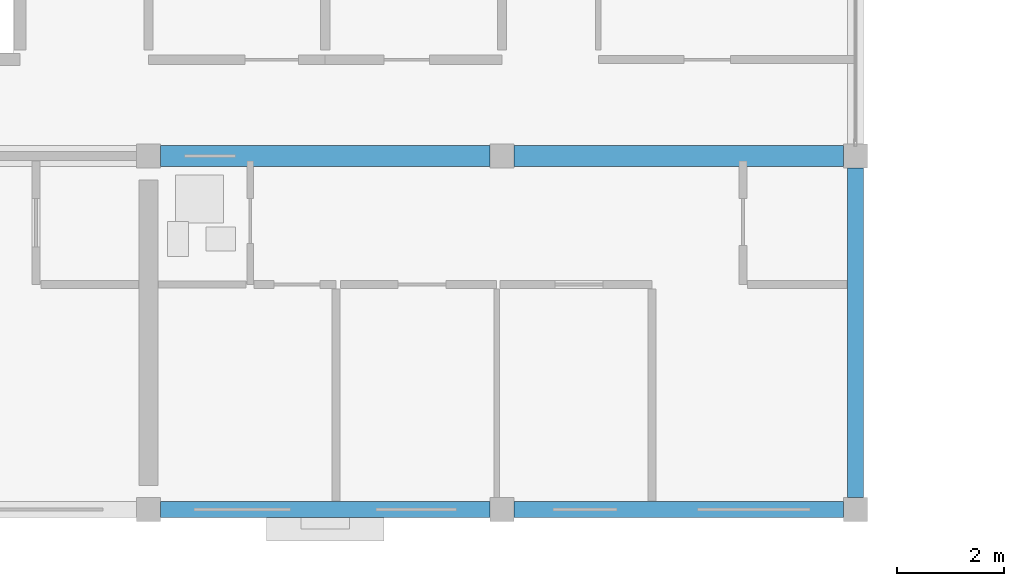
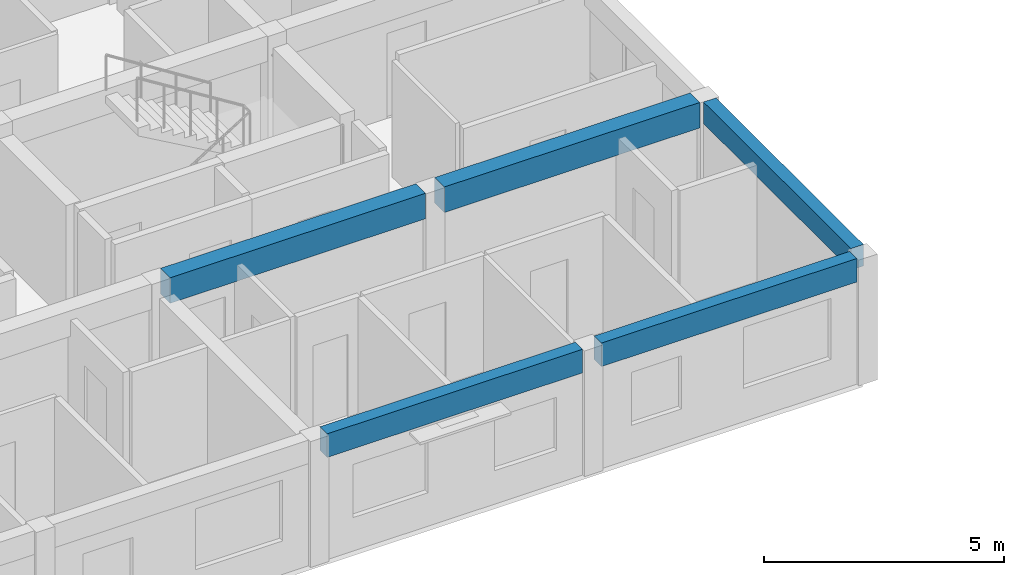
# One storey, part 6 of 52: 5 beams.
"""IFC4 building model written with IfcOpenShell, lengths in metres."""

from ifc_helpers import new_model, si_unit, direction, frame, origin, origin_2d, place, context, subcontext, project, spatial, rectangle, extrude, material, material_profile, profile_set, type_object, element, save


model = new_model("IFC4")

# Units and contexts
model_context = context("Model", 3, precision=1e-05, world=origin(), true_north=direction((0.0, 1.0)))
body_context = subcontext(model_context, "Body", "Model", "MODEL_VIEW")
ifc_project = project(units=[si_unit("LENGTHUNIT", "METRE"), si_unit("AREAUNIT", "SQUARE_METRE"), si_unit("VOLUMEUNIT", "CUBIC_METRE"), si_unit("PLANEANGLEUNIT", "RADIAN"), si_unit("MASSUNIT", "GRAM", prefix="KILO")], contexts=[model_context])

# Site, building, storey
site_placement = place(None, origin())
site = spatial("IfcSite", under=ifc_project, at=site_placement, CompositionType="ELEMENT")
building_placement = place(site_placement, origin())
building = spatial("IfcBuilding", under=site, at=building_placement, Name="Kernevlak Ridge Housing Community", CompositionType="ELEMENT")
storey_placement = place(building_placement, frame((0.0, 0.0, 11.60009765625)))
storey = spatial("IfcBuildingStorey", under=building, at=storey_placement, Name="L03", CompositionType="ELEMENT", Elevation=11.60009765625)

# Beams
ifc_material = material(Name="Concrete C35/45", Category="concrete")
ifc_material_profile_1 = material_profile(ifc_material, rectangle(XDim=0.39990234375, YDim=0.64990234375, at=origin_2d()), Name="RC 400x650")
ifc_profile_set_1 = profile_set([ifc_material_profile_1], Name="Concrete C35/45")
beam_type_1 = type_object("IfcBeamType", Name="B-03", PredefinedType="T_BEAM", material=ifc_profile_set_1)
beam_1_placement = place(storey_placement, frame((29.02490234375, 22.199951171875, 2.875), z_axis=(1.0, 0.0, 0.0), x_axis=(0.0, 1.0, 0.0)))
element("IfcBeam", 1, at=beam_1_placement, inside=storey, type_object=beam_type_1, Name="Beam B-03 L03 1394", PredefinedType="T_BEAM", context=body_context, shape_type="SweptSolid", body=[
    extrude(rectangle(XDim=0.39990234375, YDim=0.64990234375, at=origin_2d()), origin(), (0.0, 0.0, 1.0), 6.150146484375),
])
beam_2_placement = place(storey_placement, frame((35.625, 22.199951171875, 2.875), z_axis=(1.0, 0.0, 0.0), x_axis=(0.0, 1.0, 0.0)))
element("IfcBeam", 2, at=beam_2_placement, inside=storey, type_object=beam_type_1, Name="Beam B-03 L03 1395", PredefinedType="T_BEAM", context=body_context, shape_type="SweptSolid", body=[
    extrude(rectangle(XDim=0.39990234375, YDim=0.64990234375, at=origin_2d()), origin(), (0.0, 0.0, 1.0), 6.14990234375),
])
ifc_material_profile_2 = material_profile(ifc_material, rectangle(XDim=0.300048828125, YDim=0.550048828125, at=origin_2d()), Name="RC 300x550")
ifc_profile_set_2 = profile_set([ifc_material_profile_2], Name="Concrete C35/45")
beam_type_2 = type_object("IfcBeamType", Name="SP-01", PredefinedType="SPANDREL", material=ifc_profile_set_2)
beam_3_placement = place(storey_placement, frame((42.0, 15.824951171875, 2.9248046875), z_axis=(0.0, 1.0, 0.0), x_axis=(-1.0, 0.0, 0.0)))
element("IfcBeam", 3, at=beam_3_placement, inside=storey, type_object=beam_type_2, Name="Beam SP-01 L03 1407", PredefinedType="SPANDREL", context=body_context, shape_type="SweptSolid", body=[
    extrude(rectangle(XDim=0.300048828125, YDim=0.550048828125, at=origin_2d()), origin(), (0.0, 0.0, 1.0), 6.150146484375),
])
ifc_material_profile_3 = material_profile(ifc_material, rectangle(XDim=0.300048828125, YDim=0.60009765625, at=origin_2d()), Name="RC 300x600")
ifc_profile_set_3 = profile_set([ifc_material_profile_3], Name="Concrete C35/45")
beam_type_3 = type_object("IfcBeamType", Name="SP-02", PredefinedType="SPANDREL", material=ifc_profile_set_3)
beam_4_placement = place(storey_placement, frame((29.02490234375, 15.60009765625, 2.89990234375), z_axis=(1.0, 0.0, 0.0), x_axis=(0.0, 1.0, 0.0)))
element("IfcBeam", 4, at=beam_4_placement, inside=storey, type_object=beam_type_3, Name="Beam SP-02 L03 1390", PredefinedType="SPANDREL", context=body_context, shape_type="SweptSolid", body=[
    extrude(rectangle(XDim=0.300048828125, YDim=0.60009765625, at=origin_2d()), origin(), (0.0, 0.0, 1.0), 6.150146484375),
])
beam_5_placement = place(storey_placement, frame((35.625, 15.60009765625, 2.89990234375), z_axis=(1.0, 0.0, 0.0), x_axis=(0.0, 1.0, 0.0)))
element("IfcBeam", 5, at=beam_5_placement, inside=storey, type_object=beam_type_3, Name="Beam SP-02 L03 1391", PredefinedType="SPANDREL", context=body_context, shape_type="SweptSolid", body=[
    extrude(rectangle(XDim=0.300048828125, YDim=0.60009765625, at=origin_2d()), origin(), (0.0, 0.0, 1.0), 6.14990234375),
])

save(model, "model.ifc")
